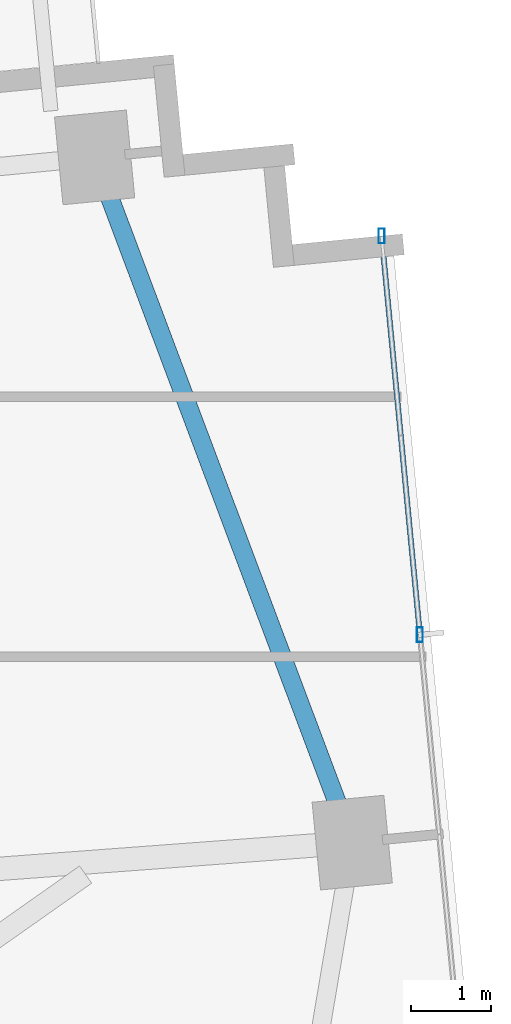
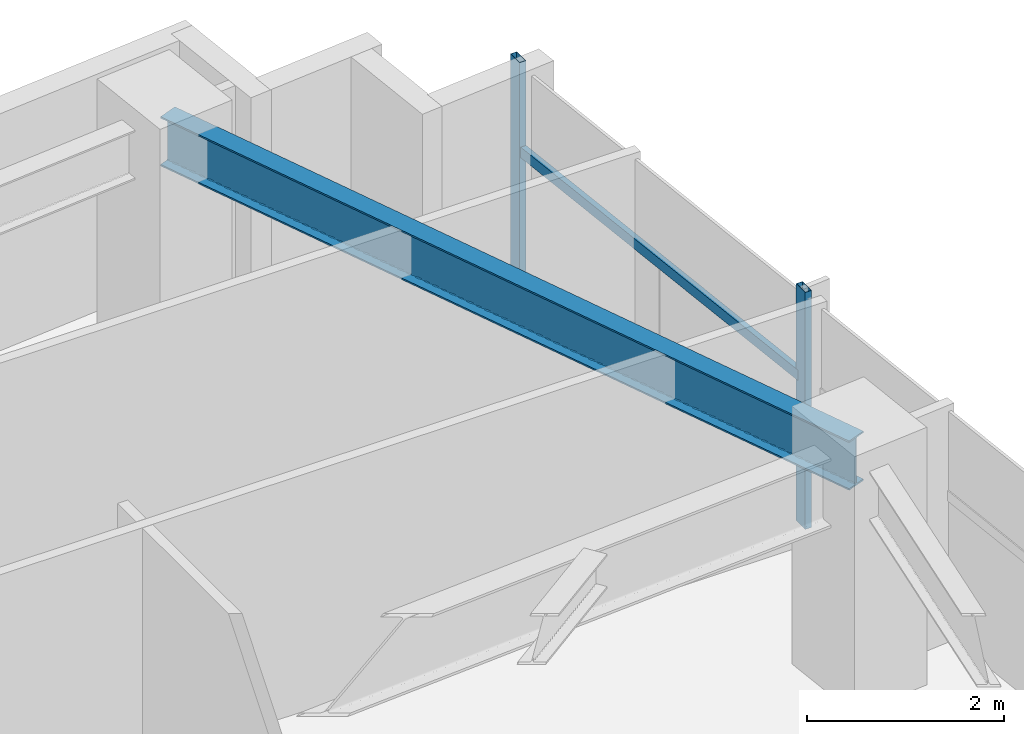
# One storey, part 17 of 25: 3 members, 1 beam, 1 element without a shape of its own.
"""IFC4 building model written with IfcOpenShell, lengths in metres."""

import ifcopenshell
import ifcopenshell.guid

model = None  # the IFC model being written
_history = None  # IfcOwnerHistory: only IFC2X3 demands one
_inside = {}  # id of a spatial element -> (the spatial element, [elements in it])
_under = {}  # id of a project, library or spatial element -> (it, [spatial elements below it])
_declared = {}  # id of a project -> (the project, [libraries it declares])
_typed = {}  # id of a type object -> (the type object, [elements of that type])
_made_of = {}  # id of a material, layer set ... -> (it, [elements and type objects made of it])


def new_model(schema):
    """Start an empty IFC model of exactly this schema.

    Asked for "IFC4X3", IfcOpenShell would pick the latest addendum, in which some entities
    have other attributes; the version numbers below select the first issue.
    IFC2X3 requires an IfcOwnerHistory on every rooted entity: one is made here for all.
    """
    global model, _history
    if schema == "IFC4X3":
        model = ifcopenshell.file(schema_version=(4, 3, 0, 0))
    else:
        model = ifcopenshell.file(schema=schema)
    _inside.clear()
    _under.clear()
    _declared.clear()
    _typed.clear()
    _made_of.clear()
    _history = None
    if model.schema == "IFC2X3":
        org = make("IfcOrganization", Name="unknown")
        user = make(
            "IfcPersonAndOrganization",
            ThePerson=make("IfcPerson", FamilyName="unknown"),
            TheOrganization=org,
        )
        app = make(
            "IfcApplication",
            ApplicationDeveloper=org,
            Version="unknown",
            ApplicationFullName="unknown",
            ApplicationIdentifier="unknown",
        )
        _history = make(
            "IfcOwnerHistory",
            OwningUser=user,
            OwningApplication=app,
            ChangeAction="ADDED",
            CreationDate=0,
        )
    return model


def make(cls, **values):
    """One entity of the class cls with the attributes given. An attribute that is None is left unset."""
    return model.create_entity(
        cls, **{name: value for name, value in values.items() if value is not None}
    )


def rooted(cls, **values):
    """An entity with a GlobalId (a new one), such as an element, a storey or a relation."""
    return make(cls, GlobalId=ifcopenshell.guid.new(), OwnerHistory=_history, **values)


def si_unit(unit_type, name, prefix=None):
    """IfcSIUnit, for example si_unit("LENGTHUNIT", "METRE", prefix="MILLI")."""
    return make("IfcSIUnit", UnitType=unit_type, Prefix=prefix, Name=name)


def assignment(units):
    """IfcUnitAssignment: the units of a project."""
    return None if units is None else make("IfcUnitAssignment", Units=units)


def point(xyz):
    """IfcCartesianPoint."""
    return None if xyz is None else make("IfcCartesianPoint", Coordinates=xyz)


def direction(xyz):
    """IfcDirection."""
    return None if xyz is None else make("IfcDirection", DirectionRatios=xyz)


def frame(location, z_axis=None, x_axis=None):
    """IfcAxis2Placement3D, a coordinate frame: its origin and axes. An axis left out is left unset."""
    return make(
        "IfcAxis2Placement3D",
        Location=point(location),
        Axis=direction(z_axis),
        RefDirection=direction(x_axis),
    )


def frame_2d(location, x_axis=None):
    """IfcAxis2Placement2D, a coordinate frame in the plane: its origin and x axis."""
    return make(
        "IfcAxis2Placement2D", Location=point(location), RefDirection=direction(x_axis)
    )


def origin():
    """The frame at (0, 0, 0) with its axes left unset."""
    return frame((0.0, 0.0, 0.0))


def origin_2d():
    """The frame at (0, 0) in the plane with its x axis left unset."""
    return frame_2d((0.0, 0.0))


def place(relative_to, where):
    """IfcLocalPlacement: puts the frame where relative to a parent placement (None: the world)."""
    return make(
        "IfcLocalPlacement", PlacementRelTo=relative_to, RelativePlacement=where
    )


def context(
    kind, dimensions, precision=None, world=None, true_north=None, identifier=None
):
    """IfcGeometricRepresentationContext, for example the 3D "Model" context."""
    return make(
        "IfcGeometricRepresentationContext",
        ContextIdentifier=identifier,
        ContextType=kind,
        CoordinateSpaceDimension=dimensions,
        Precision=precision,
        WorldCoordinateSystem=world,
        TrueNorth=true_north,
    )


def subcontext(parent, identifier, kind, view, scale=None):
    """IfcGeometricRepresentationSubContext, for example "Body" below "Model"."""
    return make(
        "IfcGeometricRepresentationSubContext",
        ContextIdentifier=identifier,
        ContextType=kind,
        ParentContext=parent,
        TargetScale=scale,
        TargetView=view,
    )


def project(units=None, contexts=None):
    """IfcProject with its units and contexts."""
    return rooted(
        "IfcProject",
        Name="project",
        RepresentationContexts=contexts,
        UnitsInContext=assignment(units),
    )


def spatial(cls, under=None, at=None, **own):
    """A site, building, storey or space (cls), placed at a placement, below another one or the project."""
    s = rooted(cls, ObjectPlacement=at, **own)
    if under is not None:
        _under.setdefault(under.id(), (under, []))[1].append(s)
    return s


def profile(cls, at=None, kind="AREA", **sizes):
    """A parametric profile (cls). Its sizes go by their IFC names, for example OverallWidth=200.0."""
    return make(cls, ProfileType=kind, Position=at, **sizes)


def hollow_rectangle(**sizes):
    """IfcRectangleHollowProfileDef."""
    return profile("IfcRectangleHollowProfileDef", **sizes)


def i_section(**sizes):
    """IfcIShapeProfileDef."""
    return profile("IfcIShapeProfileDef", **sizes)


def extrude(swept, where, along, depth):
    """IfcExtrudedAreaSolid: the profile swept, set in the frame where, extruded along a direction by depth."""
    return make(
        "IfcExtrudedAreaSolid",
        SweptArea=swept,
        Position=where,
        ExtrudedDirection=direction(along),
        Depth=depth,
    )


def shape(context_of_items, identifier, shape_type, items):
    """IfcShapeRepresentation: the items that make up one representation, for example the "Body"."""
    return make(
        "IfcShapeRepresentation",
        ContextOfItems=context_of_items,
        RepresentationIdentifier=identifier,
        RepresentationType=shape_type,
        Items=items,
    )


def source(mapping_origin, context_of_items, identifier, shape_type, items):
    """IfcRepresentationMap: a shape defined once, which mapped items show again and again."""
    return make(
        "IfcRepresentationMap",
        MappingOrigin=mapping_origin,
        MappedRepresentation=shape(context_of_items, identifier, shape_type, items),
    )


def transform(
    local_origin,
    x_axis=None,
    y_axis=None,
    z_axis=None,
    scale=None,
    scale2=None,
    scale3=None,
    uniform=True,
):
    """IfcCartesianTransformationOperator3D, or its non-uniform kind. x_axis, y_axis, z_axis: its Axis1, 2, 3."""
    if uniform:
        return make(
            "IfcCartesianTransformationOperator3D",
            Axis1=direction(x_axis),
            Axis2=direction(y_axis),
            LocalOrigin=point(local_origin),
            Scale=scale,
            Axis3=direction(z_axis),
        )
    return make(
        "IfcCartesianTransformationOperator3DnonUniform",
        Axis1=direction(x_axis),
        Axis2=direction(y_axis),
        LocalOrigin=point(local_origin),
        Scale=scale,
        Axis3=direction(z_axis),
        Scale2=scale2,
        Scale3=scale3,
    )


def mapped(mapping_source, mapping_target):
    """IfcMappedItem: shows the shape of a source again, moved by a transform."""
    return make(
        "IfcMappedItem", MappingSource=mapping_source, MappingTarget=mapping_target
    )


def material(Name=None, Category=None):
    """IfcMaterial."""
    return make("IfcMaterial", Name=Name, Category=Category)


def material_profile(
    of_material, cross_section, Name=None, Category=None, Priority=None
):
    """IfcMaterialProfile: a cross section and its material."""
    return make(
        "IfcMaterialProfile",
        Name=Name,
        Material=of_material,
        Profile=cross_section,
        Priority=Priority,
        Category=Category,
    )


def profile_set(profiles, Name=None, composite=None):
    """IfcMaterialProfileSet."""
    return make(
        "IfcMaterialProfileSet",
        Name=Name,
        MaterialProfiles=profiles,
        CompositeProfile=composite,
    )


def made_of(thing, what):
    """Note that an element or type object is made of a material, layer set ...; save() writes the relation."""
    if what is not None:
        _made_of.setdefault(what.id(), (what, []))[1].append(thing)
    return thing


def type_object(cls, material=None, **own):
    """A type object (cls), such as IfcWallType, which elements share."""
    return made_of(rooted(cls, **own), material)


def type_shapes(of_type, sources):
    """Give a type object the sources (RepresentationMaps) that its elements show as mapped items."""
    of_type.RepresentationMaps = sources


def element(
    cls,
    number,
    at=None,
    inside=None,
    cuts=None,
    type_object=None,
    material=None,
    context=None,
    identifier="Body",
    shape_type=None,
    held_by="IfcProductDefinitionShape",
    body=None,
    shapes=None,
    **own,
):
    """One element of the class cls, such as IfcWall. Its Tag is "e" and its number.

    at: its placement. inside: the storey or other place that contains it. cuts: it is an
    opening in that element (IfcRelVoidsElement). A single representation is given by context,
    identifier, shape_type and body (its items); several are given by shapes. held_by: the class
    of the entity that holds the representations. save() writes the other relations.
    """
    e = rooted(cls, Tag="e%d" % number, ObjectPlacement=at, **own)
    if body is not None:
        shapes = [shape(context, identifier, shape_type, body)]
    if shapes is not None:
        e.Representation = make(held_by, Representations=shapes)
    if inside is not None:
        _inside.setdefault(inside.id(), (inside, []))[1].append(e)
    if cuts is not None:
        rooted(
            "IfcRelVoidsElement", RelatingBuildingElement=cuts, RelatedOpeningElement=e
        )
    if type_object is not None:
        _typed.setdefault(type_object.id(), (type_object, []))[1].append(e)
    return made_of(e, material)


def aggregate(whole, parts):
    """IfcRelAggregates: a whole, such as a stair, and the parts it consists of."""
    return rooted("IfcRelAggregates", RelatingObject=whole, RelatedObjects=parts)


def save(model, path):
    """Write the relations noted so far, then the file.

    IfcRelAggregates (storeys below a building ...), IfcRelContainedInSpatialStructure (elements
    in a storey), IfcRelDefinesByType, IfcRelAssociatesMaterial and IfcRelDeclares: one each for
    every whole, place, type object, material and project.
    """
    for whole, parts in _under.values():
        aggregate(whole, parts)
    for where, things in _inside.values():
        rooted(
            "IfcRelContainedInSpatialStructure",
            RelatedElements=things,
            RelatingStructure=where,
        )
    for kind, things in _typed.values():
        rooted("IfcRelDefinesByType", RelatedObjects=things, RelatingType=kind)
    for what, things in _made_of.values():
        rooted("IfcRelAssociatesMaterial", RelatedObjects=things, RelatingMaterial=what)
    for by, libraries in _declared.values():
        rooted("IfcRelDeclares", RelatingContext=by, RelatedDefinitions=libraries)
    model.write(path)


model = new_model("IFC4")

# Units and contexts
model_context = context("Model", 3, precision=1e-05, world=origin(), true_north=direction((0.0, 1.0)))
body_context = subcontext(model_context, "Body", "Model", "MODEL_VIEW")
ifc_project = project(units=[si_unit("LENGTHUNIT", "METRE"), si_unit("AREAUNIT", "SQUARE_METRE"), si_unit("VOLUMEUNIT", "CUBIC_METRE"), si_unit("PLANEANGLEUNIT", "RADIAN"), si_unit("MASSUNIT", "GRAM", prefix="KILO")], contexts=[model_context])

# Site, building, storey
site_placement = place(None, origin())
site = spatial("IfcSite", under=ifc_project, at=site_placement, CompositionType="ELEMENT")
building_placement = place(site_placement, origin())
building = spatial("IfcBuilding", under=site, at=building_placement, Name="Astriad Promenade Condominiums", CompositionType="ELEMENT")
storey_placement = place(building_placement, frame((0.0, 0.0, 100.199951171875)))
storey = spatial("IfcBuildingStorey", under=building, at=storey_placement, Name="L28", CompositionType="ELEMENT", Elevation=100.199951171875)

# Beam
ifc_material_1 = material(Name="Steel ASTM A992 Grade 50", Category="steel")
ifc_material_profile_1 = material_profile(ifc_material_1, i_section(OverallWidth=0.22900390625, OverallDepth=0.612060546875, WebThickness=0.011962890625, FlangeThickness=0.01953125, FilletRadius=0.017822265625, at=origin_2d()), Name="W24X84")
ifc_profile_set_1 = profile_set([ifc_material_profile_1], Name="Steel ASTM A992 Grade 50")
beam_type = type_object("IfcBeamType", Name="STEEL SPANDREL BEAM W24X84", PredefinedType="SPANDREL", material=ifc_profile_set_1)
shared_shape_1 = source(origin(), body_context, "Body", "SweptSolid", [
    extrude(i_section(OverallWidth=0.22900390625, OverallDepth=0.612060546875, WebThickness=0.011962890625, FlangeThickness=0.01953125, FilletRadius=0.017822265625, at=origin_2d()), origin(), (0.0, 0.0, 1.0), 9.0556640625),
])
type_shapes(beam_type, [shared_shape_1])
beam_placement = place(storey_placement, frame((67.63427734375, 19.07666015625, 2.634033203125), z_axis=(-0.351856057459, 0.936054119605, 0.0), x_axis=(-0.936054119605, -0.351856057459, 0.0)))
element("IfcBeam", 1, at=beam_placement, inside=storey, type_object=beam_type, Name="Perimeter Spandrel Beam SP-E2-L28", PredefinedType="SPANDREL", context=body_context, shape_type="MappedRepresentation", body=[
    mapped(shared_shape_1, transform((0.0, 0.0, 0.0), scale=1.0)),
])

# Curtain wall, members
ifc_material_2 = material(Name="Anodised aluminium Black Dark Glass Unitised", Category="aluminium")
curtain_wall_type = type_object("IfcCurtainWallType", Name="CW-B2-DARK", PredefinedType="USERDEFINED", material=ifc_material_2)
curtain_wall_placement = place(storey_placement, origin())
curtain_wall = element("IfcCurtainWall", 2, at=curtain_wall_placement, inside=storey, type_object=curtain_wall_type, Name="CW-L28-E", ObjectType="UNITISED_CURTAIN_WALL", PredefinedType="USERDEFINED")
ifc_material_3 = material(Name="Anodised aluminium 6063-T6 Black", Category="aluminium")
ifc_material_profile_2 = material_profile(ifc_material_3, hollow_rectangle(XDim=0.074951171875, YDim=0.18505859375, WallThickness=0.00439453125, at=origin_2d()), Name="ALU-MUL-75X185")
ifc_profile_set_2 = profile_set([ifc_material_profile_2], Name="Anodised aluminium 6063-T6 Black")
member_type_1 = type_object("IfcMemberType", Name="MUL-ALU-MUL-75X185", PredefinedType="MULLION", material=ifc_profile_set_2)
shared_shape_2 = source(origin(), body_context, "Body", "SweptSolid", [
    extrude(hollow_rectangle(XDim=0.074951171875, YDim=0.18505859375, WallThickness=0.00439453125, at=origin_2d()), origin(), (0.0, 0.0, 1.0), 2.93994140625),
])
type_shapes(member_type_1, [shared_shape_2])
member_1_placement = place(storey_placement, frame((68.0146484375, 26.609130859375, 0.0), z_axis=(0.0, 0.0, 1.0), x_axis=(1.0, 0.0, 0.0)))
member_1 = element("IfcMember", 3, at=member_1_placement, type_object=member_type_1, Name="CW-L28-E-MUL-00", PredefinedType="MULLION", context=body_context, shape_type="MappedRepresentation", body=[
    mapped(shared_shape_2, transform((0.0, 0.0, 0.0), scale=1.0)),
])
member_2_placement = place(storey_placement, frame((68.493896484375, 21.632080078125, 0.0), z_axis=(0.0, 0.0, 1.0), x_axis=(1.0, 0.0, 0.0)))
member_2 = element("IfcMember", 4, at=member_2_placement, type_object=member_type_1, Name="CW-L28-E-MUL-01", PredefinedType="MULLION", context=body_context, shape_type="MappedRepresentation", body=[
    mapped(shared_shape_2, transform((0.0, 0.0, 0.0), scale=1.0)),
])
ifc_material_profile_3 = material_profile(ifc_material_3, hollow_rectangle(XDim=0.06494140625, YDim=0.1298828125, WallThickness=0.00390625, at=origin_2d()), Name="ALU-TRN-65X130")
ifc_profile_set_3 = profile_set([ifc_material_profile_3], Name="Anodised aluminium 6063-T6 Black")
member_type_2 = type_object("IfcMemberType", Name="TRN-ALU-TRN-65X130", PredefinedType="USERDEFINED", material=ifc_profile_set_3)
shared_shape_3 = source(origin(), body_context, "Body", "SweptSolid", [
    extrude(hollow_rectangle(XDim=0.06494140625, YDim=0.1298828125, WallThickness=0.00390625, at=origin_2d()), origin(), (0.0, 0.0, 1.0), 5.0),
])
type_shapes(member_type_2, [shared_shape_3])
member_3_placement = place(storey_placement, frame((68.0146484375, 26.609130859375, 1.82275390625), z_axis=(0.095848242264, -0.995395958629, 0.0), x_axis=(0.995395958629, 0.095848242264, 0.0)))
member_3 = element("IfcMember", 5, at=member_3_placement, type_object=member_type_2, Name="CW-L28-E-TRN-00-0", ObjectType="TRANSOM", PredefinedType="USERDEFINED", context=body_context, shape_type="MappedRepresentation", body=[
    mapped(shared_shape_3, transform((0.0, 0.0, 0.0), scale=1.0)),
])
aggregate(curtain_wall, [member_1, member_2, member_3])

save(model, "model.ifc")
